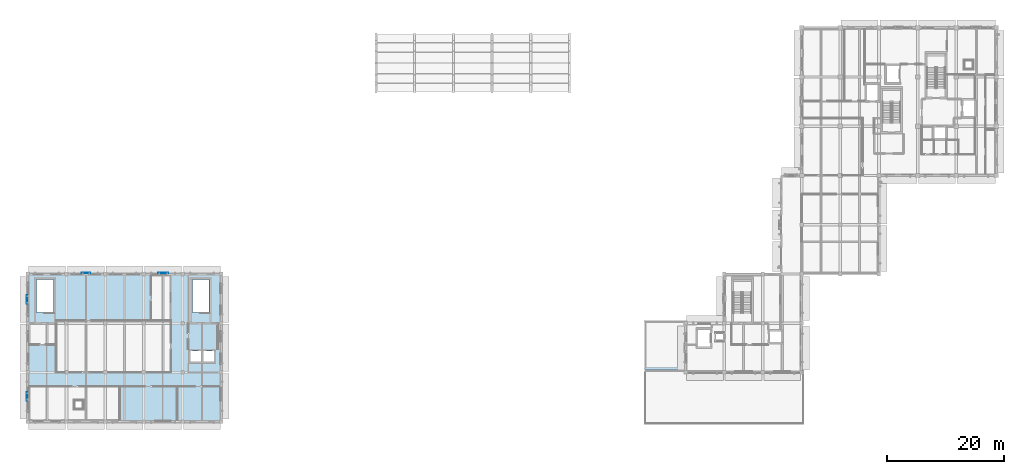
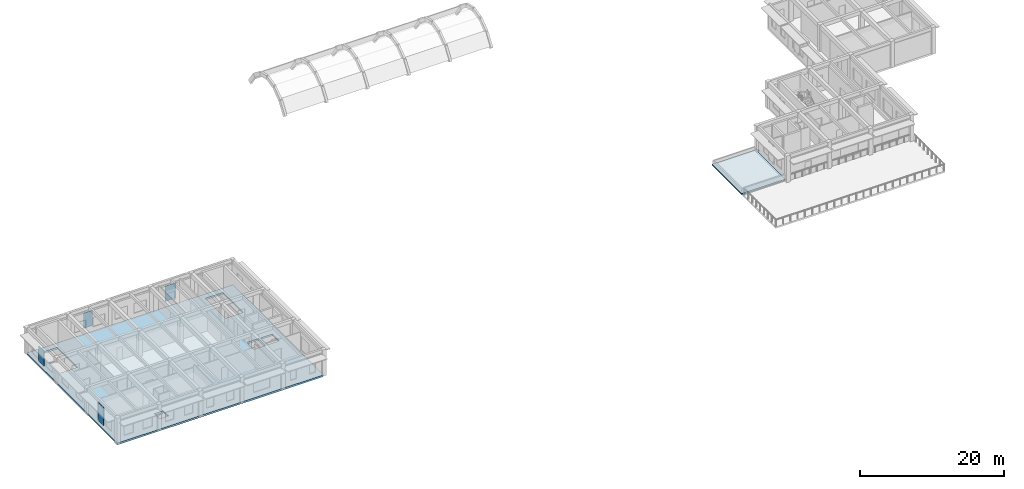
# One storey, part 4 of 20: 4 plates, 2 slabs.
"""IFC4 building model written with IfcOpenShell, lengths in metres."""

import ifcopenshell
import ifcopenshell.guid

model = None  # the IFC model being written
_history = None  # IfcOwnerHistory: only IFC2X3 demands one
_inside = {}  # id of a spatial element -> (the spatial element, [elements in it])
_under = {}  # id of a project, library or spatial element -> (it, [spatial elements below it])
_declared = {}  # id of a project -> (the project, [libraries it declares])
_typed = {}  # id of a type object -> (the type object, [elements of that type])
_made_of = {}  # id of a material, layer set ... -> (it, [elements and type objects made of it])


def new_model(schema):
    """Start an empty IFC model of exactly this schema.

    Asked for "IFC4X3", IfcOpenShell would pick the latest addendum, in which some entities
    have other attributes; the version numbers below select the first issue.
    IFC2X3 requires an IfcOwnerHistory on every rooted entity: one is made here for all.
    """
    global model, _history
    if schema == "IFC4X3":
        model = ifcopenshell.file(schema_version=(4, 3, 0, 0))
    else:
        model = ifcopenshell.file(schema=schema)
    _inside.clear()
    _under.clear()
    _declared.clear()
    _typed.clear()
    _made_of.clear()
    _history = None
    if model.schema == "IFC2X3":
        org = make("IfcOrganization", Name="unknown")
        user = make(
            "IfcPersonAndOrganization",
            ThePerson=make("IfcPerson", FamilyName="unknown"),
            TheOrganization=org,
        )
        app = make(
            "IfcApplication",
            ApplicationDeveloper=org,
            Version="unknown",
            ApplicationFullName="unknown",
            ApplicationIdentifier="unknown",
        )
        _history = make(
            "IfcOwnerHistory",
            OwningUser=user,
            OwningApplication=app,
            ChangeAction="ADDED",
            CreationDate=0,
        )
    return model


def make(cls, **values):
    """One entity of the class cls with the attributes given. An attribute that is None is left unset."""
    return model.create_entity(
        cls, **{name: value for name, value in values.items() if value is not None}
    )


def rooted(cls, **values):
    """An entity with a GlobalId (a new one), such as an element, a storey or a relation."""
    return make(cls, GlobalId=ifcopenshell.guid.new(), OwnerHistory=_history, **values)


def si_unit(unit_type, name, prefix=None):
    """IfcSIUnit, for example si_unit("LENGTHUNIT", "METRE", prefix="MILLI")."""
    return make("IfcSIUnit", UnitType=unit_type, Prefix=prefix, Name=name)


def assignment(units):
    """IfcUnitAssignment: the units of a project."""
    return None if units is None else make("IfcUnitAssignment", Units=units)


def point(xyz):
    """IfcCartesianPoint."""
    return None if xyz is None else make("IfcCartesianPoint", Coordinates=xyz)


def direction(xyz):
    """IfcDirection."""
    return None if xyz is None else make("IfcDirection", DirectionRatios=xyz)


def frame(location, z_axis=None, x_axis=None):
    """IfcAxis2Placement3D, a coordinate frame: its origin and axes. An axis left out is left unset."""
    return make(
        "IfcAxis2Placement3D",
        Location=point(location),
        Axis=direction(z_axis),
        RefDirection=direction(x_axis),
    )


def frame_2d(location, x_axis=None):
    """IfcAxis2Placement2D, a coordinate frame in the plane: its origin and x axis."""
    return make(
        "IfcAxis2Placement2D", Location=point(location), RefDirection=direction(x_axis)
    )


def origin():
    """The frame at (0, 0, 0) with its axes left unset."""
    return frame((0.0, 0.0, 0.0))


def origin_2d():
    """The frame at (0, 0) in the plane with its x axis left unset."""
    return frame_2d((0.0, 0.0))


def place(relative_to, where):
    """IfcLocalPlacement: puts the frame where relative to a parent placement (None: the world)."""
    return make(
        "IfcLocalPlacement", PlacementRelTo=relative_to, RelativePlacement=where
    )


def context(
    kind, dimensions, precision=None, world=None, true_north=None, identifier=None
):
    """IfcGeometricRepresentationContext, for example the 3D "Model" context."""
    return make(
        "IfcGeometricRepresentationContext",
        ContextIdentifier=identifier,
        ContextType=kind,
        CoordinateSpaceDimension=dimensions,
        Precision=precision,
        WorldCoordinateSystem=world,
        TrueNorth=true_north,
    )


def subcontext(parent, identifier, kind, view, scale=None):
    """IfcGeometricRepresentationSubContext, for example "Body" below "Model"."""
    return make(
        "IfcGeometricRepresentationSubContext",
        ContextIdentifier=identifier,
        ContextType=kind,
        ParentContext=parent,
        TargetScale=scale,
        TargetView=view,
    )


def project(units=None, contexts=None):
    """IfcProject with its units and contexts."""
    return rooted(
        "IfcProject",
        Name="project",
        RepresentationContexts=contexts,
        UnitsInContext=assignment(units),
    )


def spatial(cls, under=None, at=None, **own):
    """A site, building, storey or space (cls), placed at a placement, below another one or the project."""
    s = rooted(cls, ObjectPlacement=at, **own)
    if under is not None:
        _under.setdefault(under.id(), (under, []))[1].append(s)
    return s


def polyline(points):
    """IfcPolyline through the points."""
    return make("IfcPolyline", Points=[point(p) for p in points])


def profile(cls, at=None, kind="AREA", **sizes):
    """A parametric profile (cls). Its sizes go by their IFC names, for example OverallWidth=200.0."""
    return make(cls, ProfileType=kind, Position=at, **sizes)


def rectangle(**sizes):
    """IfcRectangleProfileDef."""
    return profile("IfcRectangleProfileDef", **sizes)


def outline(outer, holes=None, kind="AREA"):
    """IfcArbitraryClosedProfileDef: a profile drawn as a closed curve; with holes, ...WithVoids."""
    if holes is None:
        return make("IfcArbitraryClosedProfileDef", ProfileType=kind, OuterCurve=outer)
    return make(
        "IfcArbitraryProfileDefWithVoids",
        ProfileType=kind,
        OuterCurve=outer,
        InnerCurves=holes,
    )


def extrude(swept, where, along, depth):
    """IfcExtrudedAreaSolid: the profile swept, set in the frame where, extruded along a direction by depth."""
    return make(
        "IfcExtrudedAreaSolid",
        SweptArea=swept,
        Position=where,
        ExtrudedDirection=direction(along),
        Depth=depth,
    )


def shape(context_of_items, identifier, shape_type, items):
    """IfcShapeRepresentation: the items that make up one representation, for example the "Body"."""
    return make(
        "IfcShapeRepresentation",
        ContextOfItems=context_of_items,
        RepresentationIdentifier=identifier,
        RepresentationType=shape_type,
        Items=items,
    )


def material(Name=None, Category=None):
    """IfcMaterial."""
    return make("IfcMaterial", Name=Name, Category=Category)


def layer(
    of_material, thickness, ventilated=None, Name=None, Category=None, Priority=None
):
    """IfcMaterialLayer: one layer of a wall or slab, of a material (None: an air gap)."""
    return make(
        "IfcMaterialLayer",
        Material=of_material,
        LayerThickness=thickness,
        IsVentilated=ventilated,
        Name=Name,
        Category=Category,
        Priority=Priority,
    )


def layer_set(layers, Name=None):
    """IfcMaterialLayerSet."""
    return make("IfcMaterialLayerSet", MaterialLayers=layers, LayerSetName=Name)


def made_of(thing, what):
    """Note that an element or type object is made of a material, layer set ...; save() writes the relation."""
    if what is not None:
        _made_of.setdefault(what.id(), (what, []))[1].append(thing)
    return thing


def type_object(cls, material=None, **own):
    """A type object (cls), such as IfcWallType, which elements share."""
    return made_of(rooted(cls, **own), material)


def element(
    cls,
    number,
    at=None,
    inside=None,
    cuts=None,
    type_object=None,
    material=None,
    context=None,
    identifier="Body",
    shape_type=None,
    held_by="IfcProductDefinitionShape",
    body=None,
    shapes=None,
    **own,
):
    """One element of the class cls, such as IfcWall. Its Tag is "e" and its number.

    at: its placement. inside: the storey or other place that contains it. cuts: it is an
    opening in that element (IfcRelVoidsElement). A single representation is given by context,
    identifier, shape_type and body (its items); several are given by shapes. held_by: the class
    of the entity that holds the representations. save() writes the other relations.
    """
    e = rooted(cls, Tag="e%d" % number, ObjectPlacement=at, **own)
    if body is not None:
        shapes = [shape(context, identifier, shape_type, body)]
    if shapes is not None:
        e.Representation = make(held_by, Representations=shapes)
    if inside is not None:
        _inside.setdefault(inside.id(), (inside, []))[1].append(e)
    if cuts is not None:
        rooted(
            "IfcRelVoidsElement", RelatingBuildingElement=cuts, RelatedOpeningElement=e
        )
    if type_object is not None:
        _typed.setdefault(type_object.id(), (type_object, []))[1].append(e)
    return made_of(e, material)


def aggregate(whole, parts):
    """IfcRelAggregates: a whole, such as a stair, and the parts it consists of."""
    return rooted("IfcRelAggregates", RelatingObject=whole, RelatedObjects=parts)


def save(model, path):
    """Write the relations noted so far, then the file.

    IfcRelAggregates (storeys below a building ...), IfcRelContainedInSpatialStructure (elements
    in a storey), IfcRelDefinesByType, IfcRelAssociatesMaterial and IfcRelDeclares: one each for
    every whole, place, type object, material and project.
    """
    for whole, parts in _under.values():
        aggregate(whole, parts)
    for where, things in _inside.values():
        rooted(
            "IfcRelContainedInSpatialStructure",
            RelatedElements=things,
            RelatingStructure=where,
        )
    for kind, things in _typed.values():
        rooted("IfcRelDefinesByType", RelatedObjects=things, RelatingType=kind)
    for what, things in _made_of.values():
        rooted("IfcRelAssociatesMaterial", RelatedObjects=things, RelatingMaterial=what)
    for by, libraries in _declared.values():
        rooted("IfcRelDeclares", RelatingContext=by, RelatedDefinitions=libraries)
    model.write(path)


model = new_model("IFC4")

# Units and contexts
model_context = context("Model", 3, precision=1e-05, world=origin(), true_north=direction((0.0, 1.0)))
body_context = subcontext(model_context, "Body", "Model", "MODEL_VIEW")
ifc_project = project(units=[si_unit("LENGTHUNIT", "METRE"), si_unit("AREAUNIT", "SQUARE_METRE"), si_unit("VOLUMEUNIT", "CUBIC_METRE"), si_unit("PLANEANGLEUNIT", "RADIAN"), si_unit("MASSUNIT", "GRAM", prefix="KILO")], contexts=[model_context])

# Site, building, storey
site_placement = place(None, origin())
site = spatial("IfcSite", under=ifc_project, at=site_placement, CompositionType="ELEMENT")
building_placement = place(site_placement, origin())
building = spatial("IfcBuilding", under=site, at=building_placement, Name="Kolvaren Faculty of Natural Sciences", CompositionType="ELEMENT")
storey_placement = place(building_placement, frame((0.0, 0.0, 24.0)))
storey = spatial("IfcBuildingStorey", under=building, at=storey_placement, Name="L05", CompositionType="ELEMENT", Elevation=24.0)

# Plates
ifc_material_1 = material(Name="Extruded architectural terracotta screen", Category="masonry")
ifc_layer_1 = layer(ifc_material_1, 0.06494140625)
ifc_layer_set_1 = layer_set([ifc_layer_1], Name="Extruded architectural terracotta screen")
plate_type_1 = type_object("IfcPlateType", Name="EnvelopePlate_JL01", PredefinedType="USERDEFINED", material=ifc_layer_set_1)
for number, where, z_axis, x_axis, name in (
    (1, (16.699951171875, 42.340087890625, 0.849853515625), (0.0, 0.0, 1.0), (1.0, 0.0, 0.0), "L05 perforated terracotta jali sun screen JL-01"),
    (2, (6.659912109375, 37.860107421875, 0.849853515625), (0.0, 0.0, 1.0), (0.0, 1.0, 0.0), "L05 perforated terracotta jali sun screen JL-01"),
):
    element("IfcPlate", number, at=place(storey_placement, frame(where, z_axis=z_axis, x_axis=x_axis)), inside=storey, type_object=plate_type_1, Name=name, ObjectType="SCREEN", PredefinedType="USERDEFINED", context=body_context, shape_type="SweptSolid", body=[
        extrude(rectangle(XDim=1.449951171875, YDim=0.06494140625, at=origin_2d()), origin(), (0.0, 0.0, 1.0), 2.60009765625),
    ])
ifc_layer_2 = layer(ifc_material_1, 0.06494140625)
ifc_layer_set_2 = layer_set([ifc_layer_2], Name="Extruded architectural terracotta screen")
plate_type_2 = type_object("IfcPlateType", Name="EnvelopePlate_JL02", PredefinedType="USERDEFINED", material=ifc_layer_set_2)
plate_1_placement = place(storey_placement, frame((29.89990234375, 42.340087890625, 0.849853515625), z_axis=(0.0, 0.0, 1.0), x_axis=(1.0, 0.0, 0.0)))
element("IfcPlate", 3, at=plate_1_placement, inside=storey, type_object=plate_type_2, Name="L05 perforated terracotta jali sun screen JL-02", ObjectType="SCREEN", PredefinedType="USERDEFINED", context=body_context, shape_type="SweptSolid", body=[
    extrude(rectangle(XDim=1.75, YDim=0.06494140625, at=origin_2d()), origin(), (0.0, 0.0, 1.0), 2.60009765625),
])
ifc_layer_3 = layer(ifc_material_1, 0.06494140625)
ifc_layer_set_3 = layer_set([ifc_layer_3], Name="Extruded architectural terracotta screen")
plate_type_3 = type_object("IfcPlateType", Name="EnvelopePlate_JL03", PredefinedType="USERDEFINED", material=ifc_layer_set_3)
plate_2_placement = place(storey_placement, frame((6.659912109375, 21.340087890625, 0.849853515625), z_axis=(0.0, 0.0, 1.0), x_axis=(0.0, 1.0, 0.0)))
element("IfcPlate", 4, at=plate_2_placement, inside=storey, type_object=plate_type_3, Name="L05 perforated terracotta jali sun screen JL-03", ObjectType="SCREEN", PredefinedType="USERDEFINED", context=body_context, shape_type="SweptSolid", body=[
    extrude(rectangle(XDim=1.449951171875, YDim=0.06494140625, at=origin_2d()), origin(), (0.0, 0.0, 1.0), 3.10009765625),
])

# Slabs
ifc_material_2 = material(Name="Concrete C35/45", Category="concrete")
ifc_layer_4 = layer(ifc_material_2, 0.219970703125)
ifc_layer_set_4 = layer_set([ifc_layer_4], Name="Concrete C35/45")
slab_type_1 = type_object("IfcSlabType", Name="FlatWingRoofSlab_220", PredefinedType="ROOF", material=ifc_layer_set_4)
slab_1_placement = place(storey_placement, frame((0.0, 0.0, -0.219970703125)))
element("IfcSlab", 5, at=slab_1_placement, inside=storey, type_object=slab_type_1, Name="L05 flat reinforced concrete roof slab 1", PredefinedType="ROOF", context=body_context, shape_type="SweptSolid", body=[
    extrude(outline(polyline([(111.969970703125, 34.22998046875), (119.3798828125, 34.22998046875), (119.3798828125, 33.820068359375), (119.0, 33.820068359375), (118.998046875, 33.81982421875), (118.99609375, 33.819580078125), (118.994140625, 33.819091796875), (118.9921875, 33.818603515625), (118.990478515625, 33.817626953125), (118.989013671875, 33.816650390625), (118.9873046875, 33.8154296875), (118.98583984375, 33.814208984375), (118.984619140625, 33.812744140625), (118.9833984375, 33.81103515625), (118.982421875, 33.809326171875), (118.9814453125, 33.8076171875), (118.98095703125, 33.805908203125), (118.98046875, 33.803955078125), (118.97998046875, 33.802001953125), (118.97998046875, 33.800048828125), (118.97998046875, 25.949951171875), (111.969970703125, 25.949951171875), (111.969970703125, 34.22998046875)])), origin(), (0.0, 0.0, 1.0), 0.219970703125),
])
ifc_layer_5 = layer(ifc_material_2, 0.300048828125)
ifc_layer_set_5 = layer_set([ifc_layer_5], Name="Concrete C35/45")
slab_type_2 = type_object("IfcSlabType", Name="LabFloorSlab_300", PredefinedType="FLOOR", material=ifc_layer_set_5)
slab_2_placement = place(storey_placement, frame((0.0, 0.0, -0.300048828125)))
element("IfcSlab", 6, at=slab_2_placement, inside=storey, type_object=slab_type_2, Name="L05 V4 structural slab 1", PredefinedType="FLOOR", context=body_context, shape_type="SweptSolid", body=[
    extrude(outline(polyline([(6.800048828125, 17.0), (6.800048828125, 42.199951171875), (39.800048828125, 42.199951171875), (39.800048828125, 17.0), (6.800048828125, 17.0)]), holes=[polyline([(38.60009765625, 29.10009765625), (36.699951171875, 29.10009765625), (36.699951171875, 27.199951171875), (38.60009765625, 27.199951171875), (38.60009765625, 29.10009765625)]), polyline([(37.72998046875, 41.22998046875), (34.8701171875, 41.22998046875), (34.8701171875, 35.669921875), (37.72998046875, 35.669921875), (37.72998046875, 41.22998046875)]), polyline([(36.39990234375, 29.10009765625), (34.5, 29.10009765625), (34.5, 27.199951171875), (36.39990234375, 27.199951171875), (36.39990234375, 29.10009765625)]), polyline([(14.800048828125, 20.60009765625), (14.800048828125, 19.199951171875), (16.199951171875, 19.199951171875), (16.199951171875, 20.60009765625), (14.800048828125, 20.60009765625)]), polyline([(11.179931640625, 41.22998046875), (8.320068359375, 41.22998046875), (8.320068359375, 35.669921875), (11.179931640625, 35.669921875), (11.179931640625, 41.22998046875)])]), origin(), (0.0, 0.0, 1.0), 0.300048828125),
])

save(model, "model.ifc")
